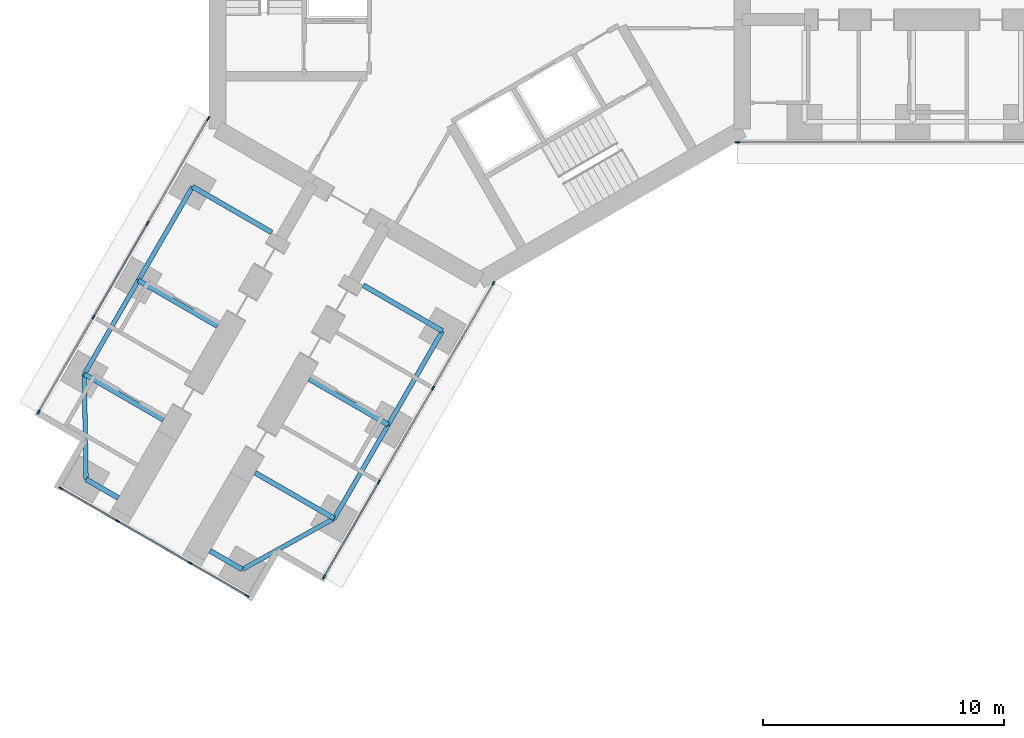
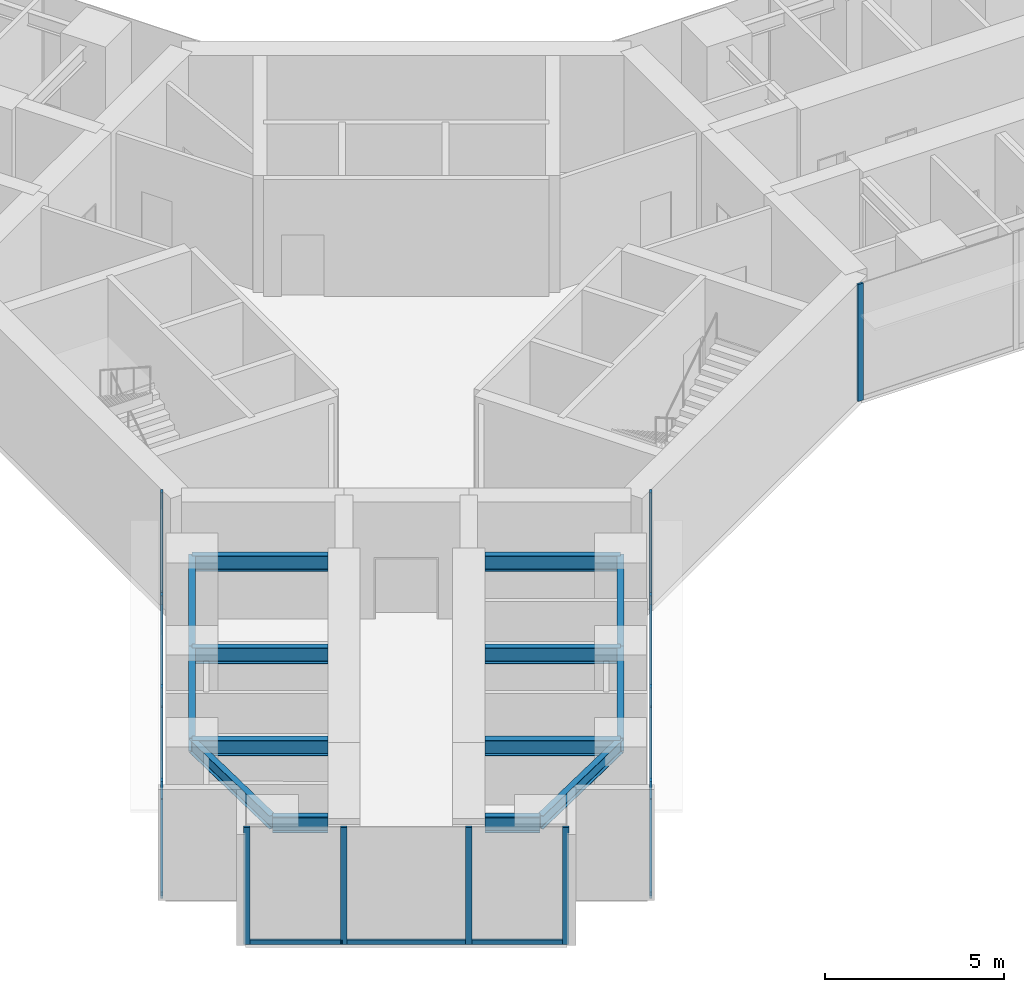
# One storey, part 2 of 24: 22 members, 14 beams, 4 elements without a shape of their own.
"""IFC4 building model written with IfcOpenShell, lengths in metres."""

from ifc_helpers import new_model, si_unit, direction, frame, origin, origin_2d, place, context, subcontext, project, spatial, rectangle, i_section, extrude, material, material_profile, profile_set, type_object, element, aggregate, save


model = new_model("IFC4")

# Units and contexts
model_context = context("Model", 3, precision=1e-05, world=origin(), true_north=direction((0.0, 1.0)))
body_context = subcontext(model_context, "Body", "Model", "MODEL_VIEW")
ifc_project = project(units=[si_unit("LENGTHUNIT", "METRE"), si_unit("AREAUNIT", "SQUARE_METRE"), si_unit("VOLUMEUNIT", "CUBIC_METRE"), si_unit("PLANEANGLEUNIT", "RADIAN"), si_unit("MASSUNIT", "GRAM", prefix="KILO")], contexts=[model_context])

# Site, building, storey
site_placement = place(None, origin())
site = spatial("IfcSite", under=ifc_project, at=site_placement, CompositionType="ELEMENT")
building_placement = place(site_placement, origin())
building = spatial("IfcBuilding", under=site, at=building_placement, Name="Upepo Twin Towers", CompositionType="ELEMENT")
storey_placement = place(building_placement, frame((0.0, 0.0, 68.5)))
storey = spatial("IfcBuildingStorey", under=building, at=storey_placement, Name="L16", CompositionType="ELEMENT", Elevation=68.5)

# Beams
ifc_material_1 = material(Name="Steel S355", Category="steel")
ifc_material_profile_1 = material_profile(ifc_material_1, i_section(OverallWidth=0.1904296875, OverallDepth=0.45703125, WebThickness=0.009033203125, FlangeThickness=0.014404296875, FilletRadius=0.01025390625, at=origin_2d()), Name="UB 457x191x74")
ifc_profile_set_1 = profile_set([ifc_material_profile_1], Name="Steel S355")
beam_type_1 = type_object("IfcBeamType", Name="Beam UB 457x191x74", PredefinedType="BEAM", material=ifc_profile_set_1)
beam_1_placement = place(storey_placement, frame((-1.553955078125, -14.69140625, 3.571533203125), z_axis=(-0.500013631625, -0.866017533419, 0.0), x_axis=(0.866017533419, -0.500013631625, 0.0)))
element("IfcBeam", 1, at=beam_1_placement, inside=storey, type_object=beam_type_1, Name="T1 edge beam CL 13.5-18.0", PredefinedType="BEAM", context=body_context, shape_type="SweptSolid", body=[
    extrude(i_section(OverallWidth=0.1904296875, OverallDepth=0.45703125, WebThickness=0.009033203125, FlangeThickness=0.014404296875, FilletRadius=0.01025390625, at=origin_2d()), origin(), (0.0, 0.0, 1.0), 4.499755859375),
])
beam_2_placement = place(storey_placement, frame((-3.803955078125, -18.58837890625, 3.571533203125), z_axis=(-0.499990139034, -0.866031096941, 0.0), x_axis=(0.866031096941, -0.499990139034, 0.0)))
element("IfcBeam", 2, at=beam_2_placement, inside=storey, type_object=beam_type_1, Name="T1 edge beam CL 18.0-22.5", PredefinedType="BEAM", context=body_context, shape_type="SweptSolid", body=[
    extrude(i_section(OverallWidth=0.1904296875, OverallDepth=0.45703125, WebThickness=0.009033203125, FlangeThickness=0.014404296875, FilletRadius=0.01025390625, at=origin_2d()), origin(), (0.0, 0.0, 1.0), 4.5),
])
beam_3_placement = place(storey_placement, frame((-6.053955078125, -22.485595703125, 3.571533203125), z_axis=(-0.874312600038, -0.485363242752, 0.0), x_axis=(0.485363242752, -0.874312600038, 0.0)))
element("IfcBeam", 3, at=beam_3_placement, inside=storey, type_object=beam_type_1, Name="T1 nose edge beam CL", PredefinedType="BEAM", context=body_context, shape_type="SweptSolid", body=[
    extrude(i_section(OverallWidth=0.1904296875, OverallDepth=0.45703125, WebThickness=0.009033203125, FlangeThickness=0.014404296875, FilletRadius=0.01025390625, at=origin_2d()), origin(), (0.0, 0.0, 1.0), 4.373046875),
])
beam_4_placement = place(storey_placement, frame((-11.946044921875, -8.69140625, 3.571533203125), z_axis=(-0.500013631625, -0.866017533419, 0.0), x_axis=(0.866017533419, -0.500013631625, 0.0)))
element("IfcBeam", 4, at=beam_4_placement, inside=storey, type_object=beam_type_1, Name="T1 edge beam CR 13.5-18.0", PredefinedType="BEAM", context=body_context, shape_type="SweptSolid", body=[
    extrude(i_section(OverallWidth=0.1904296875, OverallDepth=0.45703125, WebThickness=0.009033203125, FlangeThickness=0.014404296875, FilletRadius=0.01025390625, at=origin_2d()), origin(), (0.0, 0.0, 1.0), 4.499755859375),
])
beam_5_placement = place(storey_placement, frame((-14.196044921875, -12.58837890625, 3.571533203125), z_axis=(-0.499990139034, -0.866031096941, 0.0), x_axis=(0.866031096941, -0.499990139034, 0.0)))
element("IfcBeam", 5, at=beam_5_placement, inside=storey, type_object=beam_type_1, Name="T1 edge beam CR 18.0-22.5", PredefinedType="BEAM", context=body_context, shape_type="SweptSolid", body=[
    extrude(i_section(OverallWidth=0.1904296875, OverallDepth=0.45703125, WebThickness=0.009033203125, FlangeThickness=0.014404296875, FilletRadius=0.01025390625, at=origin_2d()), origin(), (0.0, 0.0, 1.0), 4.5),
])
beam_6_placement = place(storey_placement, frame((-16.446044921875, -16.485595703125, 3.571533203125), z_axis=(0.016803880528, -0.999858804832, 0.0), x_axis=(0.999858804832, 0.016803880528, 0.0)))
element("IfcBeam", 6, at=beam_6_placement, inside=storey, type_object=beam_type_1, Name="T1 nose edge beam CR", PredefinedType="BEAM", context=body_context, shape_type="SweptSolid", body=[
    extrude(i_section(OverallWidth=0.1904296875, OverallDepth=0.45703125, WebThickness=0.009033203125, FlangeThickness=0.014404296875, FilletRadius=0.01025390625, at=origin_2d()), origin(), (0.0, 0.0, 1.0), 4.373291015625),
])
ifc_material_2 = material(Name="Steel S355", Category="steel")
ifc_material_profile_2 = material_profile(ifc_material_2, i_section(OverallWidth=0.2119140625, OverallDepth=0.54443359375, WebThickness=0.0126953125, FlangeThickness=0.021240234375, FilletRadius=0.0126953125, at=origin_2d()), Name="UB 533x210x122")
ifc_profile_set_2 = profile_set([ifc_material_profile_2], Name="Steel S355")
beam_type_2 = type_object("IfcBeamType", Name="Beam UB 533x210x122", PredefinedType="BEAM", material=ifc_profile_set_2)
for number, where, z_axis, x_axis, name in (
    (7, (-9.87744140625, -24.608154296875, 3.52783203125), (-0.866043940782, 0.499967891604, 0.0), (-0.499967891604, -0.866043940782, 0.0), "T1 nose beam CL"),
    (8, (-16.37255859375, -20.858154296875, 3.52783203125), (0.866043940782, -0.499967891604, 0.0), (0.499967891604, 0.866043940782, 0.0), "T1 nose beam CR"),
):
    element("IfcBeam", number, at=place(storey_placement, frame(where, z_axis=z_axis, x_axis=x_axis)), inside=storey, type_object=beam_type_2, Name=name, PredefinedType="BEAM", context=body_context, shape_type="SweptSolid", body=[
        extrude(i_section(OverallWidth=0.2119140625, OverallDepth=0.54443359375, WebThickness=0.0126953125, FlangeThickness=0.021240234375, FilletRadius=0.0126953125, at=origin_2d()), origin(), (0.0, 0.0, 1.0), 1.5498046875),
    ])
ifc_material_3 = material(Name="Steel S355", Category="steel")
ifc_material_profile_3 = material_profile(ifc_material_3, i_section(OverallWidth=0.209228515625, OverallDepth=0.533203125, WebThickness=0.010009765625, FlangeThickness=0.015625, FilletRadius=0.0126953125, at=origin_2d()), Name="UB 533x210x92")
ifc_profile_set_3 = profile_set([ifc_material_profile_3], Name="Steel S355")
beam_type_3 = type_object("IfcBeamType", Name="Beam UB 533x210x92", PredefinedType="BEAM", material=ifc_profile_set_3)
beam_7_placement = place(storey_placement, frame((-1.553955078125, -14.69140625, 3.533447265625), z_axis=(-0.866000483506, 0.500043160704, 0.0), x_axis=(-0.500043160704, -0.866000483506, 0.0)))
element("IfcBeam", 9, at=beam_7_placement, inside=storey, type_object=beam_type_3, Name="T1 girder CL at 13.5", PredefinedType="BEAM", context=body_context, shape_type="SweptSolid", body=[
    extrude(i_section(OverallWidth=0.209228515625, OverallDepth=0.533203125, WebThickness=0.010009765625, FlangeThickness=0.015625, FilletRadius=0.0126953125, at=origin_2d()), origin(), (0.0, 0.0, 1.0), 3.800048828125),
])
for number, where, z_axis, x_axis, name in (
    (10, (-3.803955078125, -18.58837890625, 3.533447265625), (-0.866028304915, 0.499994975061, 0.0), (-0.499994975061, -0.866028304915, 0.0), "T1 girder CL at 18.0"),
    (11, (-6.053955078125, -22.485595703125, 3.533447265625), (-0.866028304915, 0.499994975061, 0.0), (-0.499994975061, -0.866028304915, 0.0), "T1 girder CL at 22.5"),
    (12, (-11.946044921875, -8.69140625, 3.533447265625), (0.866028304915, -0.499994975061, 0.0), (0.499994975061, 0.866028304915, 0.0), "T1 girder CR at 13.5"),
):
    element("IfcBeam", number, at=place(storey_placement, frame(where, z_axis=z_axis, x_axis=x_axis)), inside=storey, type_object=beam_type_3, Name=name, PredefinedType="BEAM", context=body_context, shape_type="SweptSolid", body=[
        extrude(i_section(OverallWidth=0.209228515625, OverallDepth=0.533203125, WebThickness=0.010009765625, FlangeThickness=0.015625, FilletRadius=0.0126953125, at=origin_2d()), origin(), (0.0, 0.0, 1.0), 3.7998046875),
    ])
beam_8_placement = place(storey_placement, frame((-14.196044921875, -12.58837890625, 3.533447265625), z_axis=(0.866000483506, -0.500043160704, 0.0), x_axis=(0.500043160704, 0.866000483506, 0.0)))
element("IfcBeam", 13, at=beam_8_placement, inside=storey, type_object=beam_type_3, Name="T1 girder CR at 18.0", PredefinedType="BEAM", context=body_context, shape_type="SweptSolid", body=[
    extrude(i_section(OverallWidth=0.209228515625, OverallDepth=0.533203125, WebThickness=0.010009765625, FlangeThickness=0.015625, FilletRadius=0.0126953125, at=origin_2d()), origin(), (0.0, 0.0, 1.0), 3.800048828125),
])
beam_9_placement = place(storey_placement, frame((-16.446044921875, -16.485595703125, 3.533447265625), z_axis=(0.866028304915, -0.499994975061, 0.0), x_axis=(0.499994975061, 0.866028304915, 0.0)))
element("IfcBeam", 14, at=beam_9_placement, inside=storey, type_object=beam_type_3, Name="T1 girder CR at 22.5", PredefinedType="BEAM", context=body_context, shape_type="SweptSolid", body=[
    extrude(i_section(OverallWidth=0.209228515625, OverallDepth=0.533203125, WebThickness=0.010009765625, FlangeThickness=0.015625, FilletRadius=0.0126953125, at=origin_2d()), origin(), (0.0, 0.0, 1.0), 3.7998046875),
])

# Curtain wall, member
ifc_material_4 = material(Name="Aluminium and fritted glass", Category="aluminium")
curtain_wall_type = type_object("IfcCurtainWallType", Name="Tower curtain wall TW1, fritted glass", PredefinedType="NOTDEFINED", material=ifc_material_4)
curtain_wall_1_placement = place(storey_placement, origin())
curtain_wall_1 = element("IfcCurtainWall", 15, at=curtain_wall_1_placement, inside=storey, type_object=curtain_wall_type, Name="T1 L16 wing A flank R curtain wall", PredefinedType="NOTDEFINED")
ifc_material_5 = material(Name="Aluminium mullion", Category="aluminium")
ifc_material_profile_4 = material_profile(ifc_material_5, rectangle(XDim=0.06494140625, YDim=0.179931640625, at=origin_2d()), Name="MULLION 65x180")
ifc_profile_set_4 = profile_set([ifc_material_profile_4], Name="Aluminium mullion")
member_type_1 = type_object("IfcMemberType", Name="Mullion 65x180 TW1", PredefinedType="MULLION", material=ifc_profile_set_4)
member_1_placement = place(storey_placement, frame((10.7197265625, -6.85009765625, 0.0), z_axis=(0.0, 0.0, 1.0), x_axis=(0.0, -1.0, 0.0)))
member_1 = element("IfcMember", 16, at=member_1_placement, type_object=member_type_1, Name="T1 L16 wing A flank R curtain wall mullion 4", PredefinedType="MULLION", context=body_context, shape_type="SweptSolid", body=[
    extrude(rectangle(XDim=0.06494140625, YDim=0.179931640625, at=origin_2d()), origin(), (0.0, 0.0, 1.0), 4.0),
])
aggregate(curtain_wall_1, [member_1])

# Curtain wall, members
curtain_wall_2_placement = place(storey_placement, origin())
curtain_wall_2 = element("IfcCurtainWall", 17, at=curtain_wall_2_placement, inside=storey, type_object=curtain_wall_type, Name="T1 L16 wing C flank L curtain wall", PredefinedType="NOTDEFINED")
member_2_placement = place(storey_placement, frame((0.572509765625, -12.70849609375, 0.0), z_axis=(0.0, 0.0, 1.0), x_axis=(0.866025389682, -0.500000024426, 0.0)))
member_2 = element("IfcMember", 18, at=member_2_placement, type_object=member_type_1, Name="T1 L16 wing C flank L curtain wall mullion 1", PredefinedType="MULLION", context=body_context, shape_type="SweptSolid", body=[
    extrude(rectangle(XDim=0.06494140625, YDim=0.179931640625, at=origin_2d()), origin(), (0.0, 0.0, 1.0), 4.0),
])
member_3_placement = place(storey_placement, frame((-1.942626953125, -17.06494140625, 0.0), z_axis=(0.0, 0.0, 1.0), x_axis=(0.866025389682, -0.500000024426, 0.0)))
member_3 = element("IfcMember", 19, at=member_3_placement, type_object=member_type_1, Name="T1 L16 wing C flank L curtain wall mullion 2", PredefinedType="MULLION", context=body_context, shape_type="SweptSolid", body=[
    extrude(rectangle(XDim=0.06494140625, YDim=0.179931640625, at=origin_2d()), origin(), (0.0, 0.0, 1.0), 4.0),
])
member_4_placement = place(storey_placement, frame((-4.192626953125, -20.9619140625, 0.0), z_axis=(0.0, 0.0, 1.0), x_axis=(0.866025389682, -0.500000024426, 0.0)))
member_4 = element("IfcMember", 20, at=member_4_placement, type_object=member_type_1, Name="T1 L16 wing C flank L curtain wall mullion 3", PredefinedType="MULLION", context=body_context, shape_type="SweptSolid", body=[
    extrude(rectangle(XDim=0.06494140625, YDim=0.179931640625, at=origin_2d()), origin(), (0.0, 0.0, 1.0), 4.0),
])
member_5_placement = place(storey_placement, frame((-6.4765625, -24.91748046875, 0.0), z_axis=(0.0, 0.0, 1.0), x_axis=(0.866025389682, -0.500000024426, 0.0)))
member_5 = element("IfcMember", 21, at=member_5_placement, type_object=member_type_1, Name="T1 L16 wing C flank L curtain wall mullion 4", PredefinedType="MULLION", context=body_context, shape_type="SweptSolid", body=[
    extrude(rectangle(XDim=0.06494140625, YDim=0.179931640625, at=origin_2d()), origin(), (0.0, 0.0, 1.0), 4.0),
])

curtain_wall_3_placement = place(storey_placement, origin())
curtain_wall_3 = element("IfcCurtainWall", 22, at=curtain_wall_3_placement, inside=storey, type_object=curtain_wall_type, Name="T1 L16 wing C flank R curtain wall", PredefinedType="NOTDEFINED")
member_6_placement = place(storey_placement, frame((-18.341064453125, -18.067626953125, 0.0), z_axis=(0.0, 0.0, 1.0), x_axis=(-0.866025389682, 0.500000024426, 0.0)))
member_6 = element("IfcMember", 23, at=member_6_placement, type_object=member_type_1, Name="T1 L16 wing C flank R curtain wall mullion 1", PredefinedType="MULLION", context=body_context, shape_type="SweptSolid", body=[
    extrude(rectangle(XDim=0.06494140625, YDim=0.179931640625, at=origin_2d()), origin(), (0.0, 0.0, 1.0), 4.0),
])
member_7_placement = place(storey_placement, frame((-16.057373046875, -14.112060546875, 0.0), z_axis=(0.0, 0.0, 1.0), x_axis=(-0.866025389682, 0.500000024426, 0.0)))
member_7 = element("IfcMember", 24, at=member_7_placement, type_object=member_type_1, Name="T1 L16 wing C flank R curtain wall mullion 2", PredefinedType="MULLION", context=body_context, shape_type="SweptSolid", body=[
    extrude(rectangle(XDim=0.06494140625, YDim=0.179931640625, at=origin_2d()), origin(), (0.0, 0.0, 1.0), 4.0),
])
member_8_placement = place(storey_placement, frame((-13.807373046875, -10.21484375, 0.0), z_axis=(0.0, 0.0, 1.0), x_axis=(-0.866025389682, 0.500000024426, 0.0)))
member_8 = element("IfcMember", 25, at=member_8_placement, type_object=member_type_1, Name="T1 L16 wing C flank R curtain wall mullion 3", PredefinedType="MULLION", context=body_context, shape_type="SweptSolid", body=[
    extrude(rectangle(XDim=0.06494140625, YDim=0.179931640625, at=origin_2d()), origin(), (0.0, 0.0, 1.0), 4.0),
])
member_9_placement = place(storey_placement, frame((-11.2919921875, -5.8583984375, 0.0), z_axis=(0.0, 0.0, 1.0), x_axis=(-0.866025389682, 0.500000024426, 0.0)))
member_9 = element("IfcMember", 26, at=member_9_placement, type_object=member_type_1, Name="T1 L16 wing C flank R curtain wall mullion 4", PredefinedType="MULLION", context=body_context, shape_type="SweptSolid", body=[
    extrude(rectangle(XDim=0.06494140625, YDim=0.179931640625, at=origin_2d()), origin(), (0.0, 0.0, 1.0), 4.0),
])

curtain_wall_4_placement = place(storey_placement, origin())
curtain_wall_4 = element("IfcCurtainWall", 27, at=curtain_wall_4_placement, inside=storey, type_object=curtain_wall_type, Name="T1 L16 wing C nose curtain wall", PredefinedType="NOTDEFINED")
member_10_placement = place(storey_placement, frame((-17.4189453125, -21.235595703125, 0.0), z_axis=(0.0, 0.0, 1.0), x_axis=(0.500000030502, 0.866025386174, 0.0)))
member_10 = element("IfcMember", 28, at=member_10_placement, type_object=member_type_1, Name="T1 L16 wing C nose curtain wall mullion 1", PredefinedType="MULLION", context=body_context, shape_type="SweptSolid", body=[
    extrude(rectangle(XDim=0.06494140625, YDim=0.179931640625, at=origin_2d()), origin(), (0.0, 0.0, 1.0), 4.0),
])
member_11_placement = place(storey_placement, frame((-15.0654296875, -22.59423828125, 0.0), z_axis=(0.0, 0.0, 1.0), x_axis=(0.500000030502, 0.866025386174, 0.0)))
member_11 = element("IfcMember", 29, at=member_11_placement, type_object=member_type_1, Name="T1 L16 wing C nose curtain wall mullion 2", PredefinedType="MULLION", context=body_context, shape_type="SweptSolid", body=[
    extrude(rectangle(XDim=0.06494140625, YDim=0.179931640625, at=origin_2d()), origin(), (0.0, 0.0, 1.0), 4.0),
])
member_12_placement = place(storey_placement, frame((-12.034423828125, -24.34423828125, 0.0), z_axis=(0.0, 0.0, 1.0), x_axis=(0.500000030502, 0.866025386174, 0.0)))
member_12 = element("IfcMember", 30, at=member_12_placement, type_object=member_type_1, Name="T1 L16 wing C nose curtain wall mullion 3", PredefinedType="MULLION", context=body_context, shape_type="SweptSolid", body=[
    extrude(rectangle(XDim=0.06494140625, YDim=0.179931640625, at=origin_2d()), origin(), (0.0, 0.0, 1.0), 4.0),
])
member_13_placement = place(storey_placement, frame((-9.68115234375, -25.703125, 0.0), z_axis=(0.0, 0.0, 1.0), x_axis=(0.500000030502, 0.866025386174, 0.0)))
member_13 = element("IfcMember", 31, at=member_13_placement, type_object=member_type_1, Name="T1 L16 wing C nose curtain wall mullion 4", PredefinedType="MULLION", context=body_context, shape_type="SweptSolid", body=[
    extrude(rectangle(XDim=0.06494140625, YDim=0.179931640625, at=origin_2d()), origin(), (0.0, 0.0, 1.0), 4.0),
])

# Member
ifc_material_6 = material(Name="Aluminium transom", Category="aluminium")
ifc_material_profile_5 = material_profile(ifc_material_6, rectangle(XDim=0.06494140625, YDim=0.14990234375, at=origin_2d()), Name="TRANSOM 65x150")
ifc_profile_set_5 = profile_set([ifc_material_profile_5], Name="Aluminium transom")
member_type_2 = type_object("IfcMemberType", Name="Transom 65x150 TW1", PredefinedType="USERDEFINED", material=ifc_profile_set_5)
member_14_placement = place(storey_placement, frame((0.55615234375, -12.736572265625, 0.074951171875), z_axis=(-0.499983492876, -0.866034933967, 0.0), x_axis=(0.866034933967, -0.499983492876, 0.0)))
member_14 = element("IfcMember", 32, at=member_14_placement, type_object=member_type_2, Name="T1 L16 wing C flank L curtain wall transom 1", ObjectType="TRANSOM", PredefinedType="USERDEFINED", context=body_context, shape_type="SweptSolid", body=[
    extrude(rectangle(XDim=0.06494140625, YDim=0.14990234375, at=origin_2d()), origin(), (0.0, 0.0, 1.0), 4.965576171875),
])

member_15_placement = place(storey_placement, frame((-1.958984375, -17.093017578125, 0.074951171875), z_axis=(-0.500005184116, -0.866022410713, 0.0), x_axis=(0.866022410713, -0.500005184116, 0.0)))
member_15 = element("IfcMember", 33, at=member_15_placement, type_object=member_type_2, Name="T1 L16 wing C flank L curtain wall transom 2", ObjectType="TRANSOM", PredefinedType="USERDEFINED", context=body_context, shape_type="SweptSolid", body=[
    extrude(rectangle(XDim=0.06494140625, YDim=0.14990234375, at=origin_2d()), origin(), (0.0, 0.0, 1.0), 4.43505859375),
])

member_16_placement = place(storey_placement, frame((-4.208984375, -20.990234375, 0.074951171875), z_axis=(-0.500005646842, -0.866022143554, 0.0), x_axis=(0.866022143554, -0.500005646842, 0.0)))
member_16 = element("IfcMember", 34, at=member_16_placement, type_object=member_type_2, Name="T1 L16 wing C flank L curtain wall transom 3", ObjectType="TRANSOM", PredefinedType="USERDEFINED", context=body_context, shape_type="SweptSolid", body=[
    extrude(rectangle(XDim=0.06494140625, YDim=0.14990234375, at=origin_2d()), origin(), (0.0, 0.0, 1.0), 4.50244140625),
])

aggregate(curtain_wall_2, [member_2, member_3, member_4, member_5, member_14, member_15, member_16])

member_17_placement = place(storey_placement, frame((-18.32470703125, -18.03955078125, 0.074951171875), z_axis=(0.499982167615, 0.866035699072, 0.0), x_axis=(-0.866035699072, 0.499982167615, 0.0)))
member_17 = element("IfcMember", 35, at=member_17_placement, type_object=member_type_2, Name="T1 L16 wing C flank R curtain wall transom 1", ObjectType="TRANSOM", PredefinedType="USERDEFINED", context=body_context, shape_type="SweptSolid", body=[
    extrude(rectangle(XDim=0.06494140625, YDim=0.14990234375, at=origin_2d()), origin(), (0.0, 0.0, 1.0), 4.502685546875),
])

member_18_placement = place(storey_placement, frame((-16.041015625, -14.083984375, 0.074951171875), z_axis=(0.500005184116, 0.866022410713, 0.0), x_axis=(-0.866022410713, 0.500005184116, 0.0)))
member_18 = element("IfcMember", 36, at=member_18_placement, type_object=member_type_2, Name="T1 L16 wing C flank R curtain wall transom 2", ObjectType="TRANSOM", PredefinedType="USERDEFINED", context=body_context, shape_type="SweptSolid", body=[
    extrude(rectangle(XDim=0.06494140625, YDim=0.14990234375, at=origin_2d()), origin(), (0.0, 0.0, 1.0), 4.43505859375),
])

member_19_placement = place(storey_placement, frame((-13.791015625, -10.186767578125, 0.074951171875), z_axis=(0.50000478328, 0.866022642139, 0.0), x_axis=(-0.866022642139, 0.50000478328, 0.0)))
member_19 = element("IfcMember", 37, at=member_19_placement, type_object=member_type_2, Name="T1 L16 wing C flank R curtain wall transom 3", ObjectType="TRANSOM", PredefinedType="USERDEFINED", context=body_context, shape_type="SweptSolid", body=[
    extrude(rectangle(XDim=0.06494140625, YDim=0.14990234375, at=origin_2d()), origin(), (0.0, 0.0, 1.0), 4.96533203125),
])

aggregate(curtain_wall_3, [member_6, member_7, member_8, member_9, member_17, member_18, member_19])

member_20_placement = place(storey_placement, frame((-17.390869140625, -21.251708984375, 0.074951171875), z_axis=(0.865997053448, -0.500049101008, 0.0), x_axis=(0.500049101008, 0.865997053448, 0.0)))
member_20 = element("IfcMember", 38, at=member_20_placement, type_object=member_type_2, Name="T1 L16 wing C nose curtain wall transom 1", ObjectType="TRANSOM", PredefinedType="USERDEFINED", context=body_context, shape_type="SweptSolid", body=[
    extrude(rectangle(XDim=0.06494140625, YDim=0.14990234375, at=origin_2d()), origin(), (0.0, 0.0, 1.0), 2.652587890625),
])

member_21_placement = place(storey_placement, frame((-15.037353515625, -22.610595703125, 0.074951171875), z_axis=(0.866025804792, -0.499999305434, 0.0), x_axis=(0.499999305434, 0.866025804792, 0.0)))
member_21 = element("IfcMember", 39, at=member_21_placement, type_object=member_type_2, Name="T1 L16 wing C nose curtain wall transom 2", ObjectType="TRANSOM", PredefinedType="USERDEFINED", context=body_context, shape_type="SweptSolid", body=[
    extrude(rectangle(XDim=0.06494140625, YDim=0.14990234375, at=origin_2d()), origin(), (0.0, 0.0, 1.0), 3.43505859375),
])

member_22_placement = place(storey_placement, frame((-12.00634765625, -24.360595703125, 0.074951171875), z_axis=(0.866036909293, -0.499980071345, 0.0), x_axis=(0.499980071345, 0.866036909293, 0.0)))
member_22 = element("IfcMember", 40, at=member_22_placement, type_object=member_type_2, Name="T1 L16 wing C nose curtain wall transom 3", ObjectType="TRANSOM", PredefinedType="USERDEFINED", context=body_context, shape_type="SweptSolid", body=[
    extrude(rectangle(XDim=0.06494140625, YDim=0.14990234375, at=origin_2d()), origin(), (0.0, 0.0, 1.0), 2.65234375),
])

aggregate(curtain_wall_4, [member_10, member_11, member_12, member_13, member_20, member_21, member_22])

save(model, "model.ifc")
